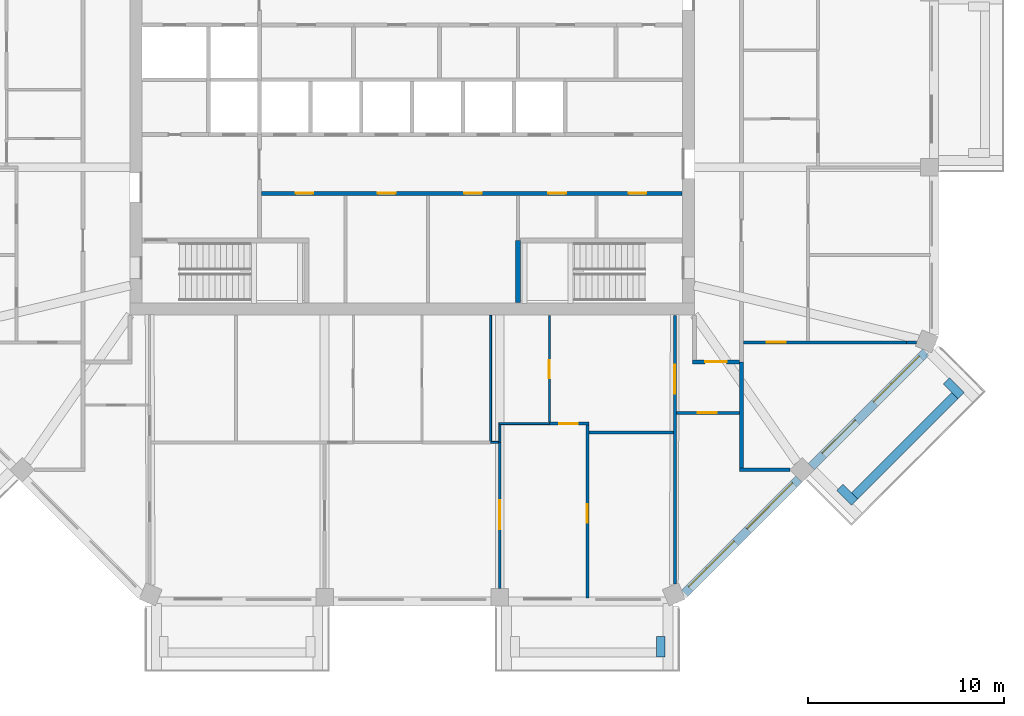
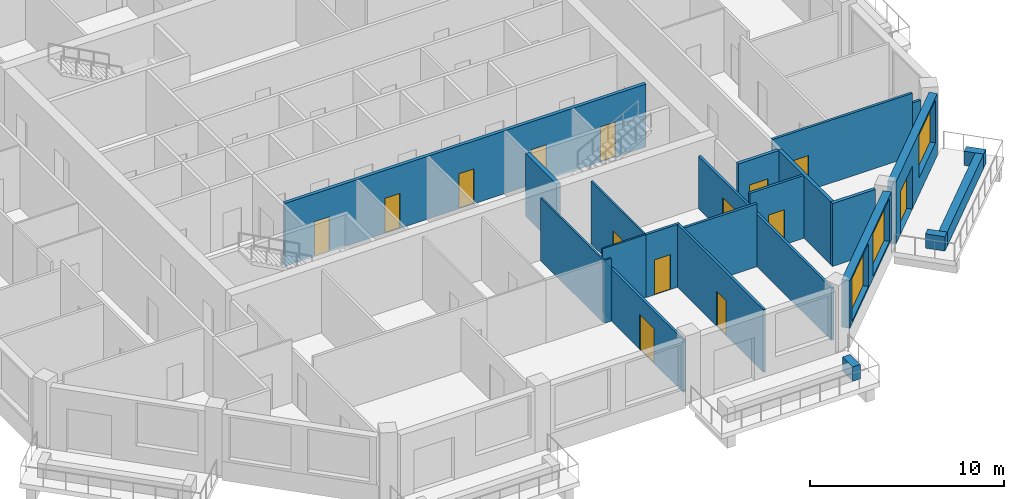
# One storey, part 5 of 12: 24 walls, 14 doors, 3 windows, 17 openings.
"""IFC4 building model written with IfcOpenShell, lengths in metres."""

from ifc_helpers import new_model, si_unit, direction, frame, frame_2d, origin, place, context, subcontext, project, spatial, rectangle, extrude, material, layer, layer_set, type_object, element, fill, save


model = new_model("IFC4")

# Units and contexts
model_context = context("Model", 3, precision=1e-05, world=origin(), true_north=direction((0.0, 1.0)))
body_context = subcontext(model_context, "Body", "Model", "MODEL_VIEW")
ifc_project = project(units=[si_unit("LENGTHUNIT", "METRE"), si_unit("AREAUNIT", "SQUARE_METRE"), si_unit("VOLUMEUNIT", "CUBIC_METRE"), si_unit("PLANEANGLEUNIT", "RADIAN"), si_unit("MASSUNIT", "GRAM", prefix="KILO")], contexts=[model_context])

# Site, building, storey
site_placement = place(None, origin())
site = spatial("IfcSite", under=ifc_project, at=site_placement, CompositionType="ELEMENT")
building_placement = place(site_placement, origin())
building = spatial("IfcBuilding", under=site, at=building_placement, Name="Msitu Wima Residences", CompositionType="ELEMENT")
storey_placement = place(building_placement, frame((0.0, 0.0, 222.300048828125)))
storey = spatial("IfcBuildingStorey", under=building, at=storey_placement, Name="L51", CompositionType="ELEMENT", Elevation=222.300048828125)

# Walls
ifc_material_1 = material(Name="Facing brick")
ifc_layer_1 = layer(ifc_material_1, 0.06494140625, Name="Facing brick")
ifc_material_2 = material(Name="Concrete C40/50", Category="concrete")
ifc_layer_2 = layer(ifc_material_2, 0.156005859375, Name="Concrete C40/50")
ifc_material_3 = material(Name="Waterproofing membrane")
ifc_layer_3 = layer(ifc_material_3, 0.00390625, Name="Waterproofing membrane")
ifc_material_4 = material(Name="Planting soil and planting")
ifc_layer_4 = layer(ifc_material_4, 0.22509765625, Name="Planting soil and planting")
ifc_layer_set_1 = layer_set([ifc_layer_1, ifc_layer_2, ifc_layer_3, ifc_layer_4], Name="Concrete C40/50")
wall_type_1 = type_object("IfcWallType", Name="Balcony planter PLANTER PL450", PredefinedType="USERDEFINED", material=ifc_layer_set_1)
wall_1_placement = place(storey_placement, frame((12.680908203125, -28.39990234375, 0.0), z_axis=(0.0, 0.0, 1.0), x_axis=(0.0, -1.0, 0.0)))
element("IfcWall", 1, at=wall_1_placement, inside=storey, type_object=wall_type_1, Name="Balcony planter S2 L51", ObjectType="PLANTER", PredefinedType="USERDEFINED", context=body_context, shape_type="SweptSolid", body=[
    extrude(rectangle(XDim=1.050048828125, YDim=0.449951171875, at=frame_2d((0.52490234375, 0.0))), origin(), (0.0, 0.0, 1.0), 0.89990234375),
])
wall_2_placement = place(storey_placement, frame((22.572265625, -21.228759765625, 0.0), z_axis=(0.0, 0.0, 1.0), x_axis=(0.707106781187, 0.707106781187, 0.0)))
element("IfcWall", 2, at=wall_2_placement, inside=storey, type_object=wall_type_1, Name="Balcony planter SE1 L51", ObjectType="PLANTER", PredefinedType="USERDEFINED", context=body_context, shape_type="SweptSolid", body=[
    extrude(rectangle(XDim=7.23828125, YDim=0.449951171875, at=frame_2d((3.619140625, 0.0))), origin(), (0.0, 0.0, 1.0), 0.89990234375),
])
for number, where, z_axis, x_axis, name in (
    (3, (21.829833984375, -20.804443359375, 0.0), (0.0, 0.0, 1.0), (0.707106781187, -0.707106781187, 0.0), "Balcony planter SE1 L51"),
    (4, (27.26611328125, -15.3681640625, 0.0), (0.0, 0.0, 1.0), (0.707223014731, -0.706990528533, 0.0), "Balcony planter SE1 L51"),
):
    element("IfcWall", number, at=place(storey_placement, frame(where, z_axis=z_axis, x_axis=x_axis)), inside=storey, type_object=wall_type_1, Name=name, ObjectType="PLANTER", PredefinedType="USERDEFINED", context=body_context, shape_type="SweptSolid", body=[
        extrude(rectangle(XDim=1.050048828125, YDim=0.449951171875, at=frame_2d((0.52490234375, 0.0))), origin(), (0.0, 0.0, 1.0), 0.89990234375),
    ])

# Wall, openings, windows
ifc_material_5 = material(Name="Brick (red buff mix)", Category="masonry")
ifc_layer_5 = layer(ifc_material_5, 0.449951171875)
ifc_layer_set_2 = layer_set([ifc_layer_5], Name="Brick (red buff mix)")
wall_type_2 = type_object("IfcWallType", Name="Brick infill wall BW450", PredefinedType="SOLIDWALL", material=ifc_layer_set_2)
wall_3_placement = place(storey_placement, frame((13.909423828125, -26.214599609375, 0.89990234375), z_axis=(0.0, 0.0, 1.0), x_axis=(0.707106781187, 0.707106781187, 0.0)))
wall_3 = element("IfcWall", 5, at=wall_3_placement, inside=storey, type_object=wall_type_2, Name="Brick infill wall L51 SE0", PredefinedType="SOLIDWALL", context=body_context, shape_type="SweptSolid", body=[
    extrude(rectangle(XDim=8.251220703125, YDim=0.449951171875, at=frame_2d((4.12548828125, 0.0))), origin(), (0.0, 0.0, 1.0), 3.0),
])
opening_1_placement = place(wall_3_placement, frame((0.37548828125, 0.0, 0.14990234375)))
opening_1 = element("IfcOpeningElement", 6, at=opening_1_placement, cuts=wall_3, Name="Opening W50-51.020", PredefinedType="OPENING", context=body_context, shape_type="SweptSolid", body=[
    extrude(rectangle(XDim=3.300048828125, YDim=2.699951171875, at=frame_2d((1.64990234375, 1.35009765625))), frame((0.0, 0.23486328125, 0.0), z_axis=(0.0, -1.0, 0.0), x_axis=(1.0, 0.0, 0.0)), (0.0, 0.0, 1.0), 0.469970703125),
])
opening_2_placement = place(wall_3_placement, frame((4.57568359375, 0.0, 0.14990234375)))
opening_2 = element("IfcOpeningElement", 7, at=opening_2_placement, cuts=wall_3, Name="Opening W50-51.021", PredefinedType="OPENING", context=body_context, shape_type="SweptSolid", body=[
    extrude(rectangle(XDim=3.300048828125, YDim=2.699951171875, at=frame_2d((1.64990234375, 1.35009765625))), frame((0.0, 0.23486328125, 0.0), z_axis=(0.0, -1.0, 0.0), x_axis=(1.0, 0.0, 0.0)), (0.0, 0.0, 1.0), 0.469970703125),
])
ifc_material_6 = material(Name="Anodised aluminium, bronze finish, clear low-emissivity double glazing", Category="aluminium")
window_type = type_object("IfcWindowType", Name="Window W3300x2700", PartitioningType="DOUBLE_PANEL_VERTICAL", PredefinedType="WINDOW", material=ifc_material_6)
window_1_placement = place(opening_1_placement, origin())
window_1 = element("IfcWindow", 8, at=window_1_placement, inside=storey, type_object=window_type, Name="Window L51 SE0.1", OverallHeight=2.699951171875, OverallWidth=3.300048828125, PartitioningType="SINGLE_PANEL", PredefinedType="WINDOW", context=body_context, shape_type="SweptSolid", body=[
    extrude(rectangle(XDim=3.300048828125, YDim=2.699951171875, at=frame_2d((1.64990234375, 1.35009765625))), frame((0.0, 0.135009765625, 0.0), z_axis=(0.0, -1.0, 0.0), x_axis=(1.0, 0.0, 0.0)), (0.0, 0.0, 1.0), 0.06005859375),
])
fill(opening_1, window_1)
window_2_placement = place(opening_2_placement, origin())
window_2 = element("IfcWindow", 9, at=window_2_placement, inside=storey, type_object=window_type, Name="Window L51 SE0.2", OverallHeight=2.699951171875, OverallWidth=3.300048828125, PartitioningType="SINGLE_PANEL", PredefinedType="WINDOW", context=body_context, shape_type="SweptSolid", body=[
    extrude(rectangle(XDim=3.300048828125, YDim=2.699951171875, at=frame_2d((1.64990234375, 1.35009765625))), frame((0.0, 0.135009765625, 0.0), z_axis=(0.0, -1.0, 0.0), x_axis=(1.0, 0.0, 0.0)), (0.0, 0.0, 1.0), 0.06005859375),
])
fill(opening_2, window_2)

# Wall, openings, door, window
wall_4_placement = place(storey_placement, frame((20.380126953125, -19.743896484375, 0.0), z_axis=(0.0, 0.0, 1.0), x_axis=(0.707106781187, 0.707106781187, 0.0)))
wall_4 = element("IfcWall", 10, at=wall_4_placement, inside=storey, type_object=wall_type_2, Name="Brick infill wall L51 SE1", PredefinedType="SOLIDWALL", context=body_context, shape_type="SweptSolid", body=[
    extrude(rectangle(XDim=8.251220703125, YDim=0.449951171875, at=frame_2d((4.12548828125, 0.0))), origin(), (0.0, 0.0, 1.0), 3.89990234375),
])
opening_3_placement = place(wall_4_placement, frame((0.86279296875, 0.0, 0.0)))
opening_3 = element("IfcOpeningElement", 11, at=opening_3_placement, cuts=wall_4, Name="Opening D50-51.008", PredefinedType="OPENING", context=body_context, shape_type="SweptSolid", body=[
    extrude(rectangle(XDim=2.39990234375, YDim=2.699951171875, at=frame_2d((1.199951171875, 1.35009765625))), frame((0.0, 0.23486328125, 0.0), z_axis=(0.0, -1.0, 0.0), x_axis=(1.0, 0.0, 0.0)), (0.0, 0.0, 1.0), 0.469970703125),
])
opening_4_placement = place(wall_4_placement, frame((4.57568359375, 0.0, 1.050048828125)))
opening_4 = element("IfcOpeningElement", 12, at=opening_4_placement, cuts=wall_4, Name="Opening W50-51.022", PredefinedType="OPENING", context=body_context, shape_type="SweptSolid", body=[
    extrude(rectangle(XDim=3.300048828125, YDim=2.699951171875, at=frame_2d((1.64990234375, 1.35009765625))), frame((0.0, 0.23486328125, 0.0), z_axis=(0.0, -1.0, 0.0), x_axis=(1.0, 0.0, 0.0)), (0.0, 0.0, 1.0), 0.469970703125),
])
door_type_1 = type_object("IfcDoorType", Name="Balcony door D2400x2700", OperationType="SLIDING_TO_LEFT", PredefinedType="DOOR", material=ifc_material_6)
door_1_placement = place(opening_3_placement, origin())
door_1 = element("IfcDoor", 13, at=door_1_placement, inside=storey, type_object=door_type_1, Name="Balcony door L51 SE1", OperationType="SINGLE_SWING_LEFT", OverallHeight=2.699951171875, OverallWidth=2.39990234375, PredefinedType="DOOR", context=body_context, shape_type="SweptSolid", body=[
    extrude(rectangle(XDim=2.39990234375, YDim=2.699951171875, at=frame_2d((1.199951171875, 1.35009765625))), frame((0.0, 0.1298828125, 0.0), z_axis=(0.0, -1.0, 0.0), x_axis=(1.0, 0.0, 0.0)), (0.0, 0.0, 1.0), 0.050048828125),
])
fill(opening_3, door_1)
window_3_placement = place(opening_4_placement, origin())
window_3 = element("IfcWindow", 14, at=window_3_placement, inside=storey, type_object=window_type, Name="Window L51 SE1.2", OverallHeight=2.699951171875, OverallWidth=3.300048828125, PartitioningType="SINGLE_PANEL", PredefinedType="WINDOW", context=body_context, shape_type="SweptSolid", body=[
    extrude(rectangle(XDim=3.300048828125, YDim=2.699951171875, at=frame_2d((1.64990234375, 1.35009765625))), frame((0.0, 0.135009765625, 0.0), z_axis=(0.0, -1.0, 0.0), x_axis=(1.0, 0.0, 0.0)), (0.0, 0.0, 1.0), 0.06005859375),
])
fill(opening_4, window_3)

# Wall, openings, doors
ifc_material_7 = material(Name="Plaster")
ifc_layer_6 = layer(ifc_material_7, 0.011962890625, Name="Plaster")
ifc_material_8 = material(Name="Concrete blockwork", Category="masonry")
ifc_layer_7 = layer(ifc_material_8, 0.176025390625, Name="Concrete blockwork")
ifc_layer_8 = layer(ifc_material_7, 0.011962890625, Name="Plaster")
ifc_layer_set_3 = layer_set([ifc_layer_6, ifc_layer_7, ifc_layer_8], Name="Concrete blockwork")
wall_type_3 = type_object("IfcWallType", Name="Corridor wall FW200", PredefinedType="PARTITIONING", material=ifc_layer_set_3)
wall_5_placement = place(storey_placement, frame((-7.699951171875, -5.800048828125, 0.0), z_axis=(0.0, 0.0, 1.0), x_axis=(1.0, 0.0, 0.0)))
wall_5 = element("IfcWall", 15, at=wall_5_placement, inside=storey, type_object=wall_type_3, Name="Corridor wall", PredefinedType="PARTITIONING", context=body_context, shape_type="SweptSolid", body=[
    extrude(rectangle(XDim=21.469970703125, YDim=0.199951171875, at=frame_2d((10.73486328125, 0.0))), origin(), (0.0, 0.0, 1.0), 3.949951171875),
])
opening_5_placement = place(wall_5_placement, frame((1.75, 0.0, 0.0)))
opening_5 = element("IfcOpeningElement", 16, at=opening_5_placement, cuts=wall_5, Name="Opening D50-51.067", PredefinedType="OPENING", context=body_context, shape_type="SweptSolid", body=[
    extrude(rectangle(XDim=0.89990234375, YDim=2.199951171875, at=frame_2d((0.449951171875, 1.10009765625))), frame((0.0, 0.10986328125, 0.0), z_axis=(0.0, -1.0, 0.0), x_axis=(1.0, 0.0, 0.0)), (0.0, 0.0, 1.0), 0.219970703125),
])
opening_6_placement = place(wall_5_placement, frame((5.949951171875, 0.0, 0.0)))
opening_6 = element("IfcOpeningElement", 17, at=opening_6_placement, cuts=wall_5, Name="Opening D50-51.068", PredefinedType="OPENING", context=body_context, shape_type="SweptSolid", body=[
    extrude(rectangle(XDim=0.89990234375, YDim=2.199951171875, at=frame_2d((0.449951171875, 1.10009765625))), frame((0.0, 0.10986328125, 0.0), z_axis=(0.0, -1.0, 0.0), x_axis=(1.0, 0.0, 0.0)), (0.0, 0.0, 1.0), 0.219970703125),
])
opening_7_placement = place(wall_5_placement, frame((10.35009765625, 0.0, 0.0)))
opening_7 = element("IfcOpeningElement", 18, at=opening_7_placement, cuts=wall_5, Name="Opening D50-51.069", PredefinedType="OPENING", context=body_context, shape_type="SweptSolid", body=[
    extrude(rectangle(XDim=0.89990234375, YDim=2.199951171875, at=frame_2d((0.449951171875, 1.10009765625))), frame((0.0, 0.10986328125, 0.0), z_axis=(0.0, -1.0, 0.0), x_axis=(1.0, 0.0, 0.0)), (0.0, 0.0, 1.0), 0.219970703125),
])
opening_8_placement = place(wall_5_placement, frame((14.64990234375, 0.0, 0.0)))
opening_8 = element("IfcOpeningElement", 19, at=opening_8_placement, cuts=wall_5, Name="Opening D50-51.070", PredefinedType="OPENING", context=body_context, shape_type="SweptSolid", body=[
    extrude(rectangle(XDim=0.89990234375, YDim=2.199951171875, at=frame_2d((0.449951171875, 1.10009765625))), frame((0.0, 0.10986328125, 0.0), z_axis=(0.0, -1.0, 0.0), x_axis=(1.0, 0.0, 0.0)), (0.0, 0.0, 1.0), 0.219970703125),
])
opening_9_placement = place(wall_5_placement, frame((18.75, 0.0, 0.0)))
opening_9 = element("IfcOpeningElement", 20, at=opening_9_placement, cuts=wall_5, Name="Opening D50-51.071", PredefinedType="OPENING", context=body_context, shape_type="SweptSolid", body=[
    extrude(rectangle(XDim=0.89990234375, YDim=2.199951171875, at=frame_2d((0.449951171875, 1.10009765625))), frame((0.0, 0.10986328125, 0.0), z_axis=(0.0, -1.0, 0.0), x_axis=(1.0, 0.0, 0.0)), (0.0, 0.0, 1.0), 0.219970703125),
])
ifc_material_9 = material(Name="Timber flush door", Category="wood")
door_type_2 = type_object("IfcDoorType", Name="Service door D05 900x2200", OperationType="SINGLE_SWING_LEFT", PredefinedType="DOOR", material=ifc_material_9)
door_2_placement = place(opening_5_placement, origin())
door_2 = element("IfcDoor", 21, at=door_2_placement, inside=storey, type_object=door_type_2, Name="Service door", OperationType="SINGLE_SWING_LEFT", OverallHeight=2.199951171875, OverallWidth=0.89990234375, PredefinedType="DOOR", context=body_context, shape_type="SweptSolid", body=[
    extrude(rectangle(XDim=0.89990234375, YDim=2.199951171875, at=frame_2d((0.449951171875, 1.10009765625))), frame((0.0, 0.02490234375, 0.0), z_axis=(0.0, -1.0, 0.0), x_axis=(1.0, 0.0, 0.0)), (0.0, 0.0, 1.0), 0.050048828125),
])
fill(opening_5, door_2)
door_3_placement = place(opening_6_placement, origin())
door_3 = element("IfcDoor", 22, at=door_3_placement, inside=storey, type_object=door_type_2, Name="Service door", OperationType="SINGLE_SWING_RIGHT", OverallHeight=2.199951171875, OverallWidth=0.89990234375, PredefinedType="DOOR", context=body_context, shape_type="SweptSolid", body=[
    extrude(rectangle(XDim=0.89990234375, YDim=2.199951171875, at=frame_2d((0.449951171875, 1.10009765625))), frame((0.0, 0.02490234375, 0.0), z_axis=(0.0, -1.0, 0.0), x_axis=(1.0, 0.0, 0.0)), (0.0, 0.0, 1.0), 0.050048828125),
])
fill(opening_6, door_3)
door_4_placement = place(opening_7_placement, origin())
door_4 = element("IfcDoor", 23, at=door_4_placement, inside=storey, type_object=door_type_2, Name="Service door", OperationType="SINGLE_SWING_LEFT", OverallHeight=2.199951171875, OverallWidth=0.89990234375, PredefinedType="DOOR", context=body_context, shape_type="SweptSolid", body=[
    extrude(rectangle(XDim=0.89990234375, YDim=2.199951171875, at=frame_2d((0.449951171875, 1.10009765625))), frame((0.0, 0.02490234375, 0.0), z_axis=(0.0, -1.0, 0.0), x_axis=(1.0, 0.0, 0.0)), (0.0, 0.0, 1.0), 0.050048828125),
])
fill(opening_7, door_4)
door_5_placement = place(opening_8_placement, origin())
door_5 = element("IfcDoor", 24, at=door_5_placement, inside=storey, type_object=door_type_2, Name="Service door", OperationType="SINGLE_SWING_LEFT", OverallHeight=2.199951171875, OverallWidth=0.89990234375, PredefinedType="DOOR", context=body_context, shape_type="SweptSolid", body=[
    extrude(rectangle(XDim=0.89990234375, YDim=2.199951171875, at=frame_2d((0.449951171875, 1.10009765625))), frame((0.0, 0.02490234375, 0.0), z_axis=(0.0, -1.0, 0.0), x_axis=(1.0, 0.0, 0.0)), (0.0, 0.0, 1.0), 0.050048828125),
])
fill(opening_8, door_5)
door_6_placement = place(opening_9_placement, origin())
door_6 = element("IfcDoor", 25, at=door_6_placement, inside=storey, type_object=door_type_2, Name="Service door", OperationType="SINGLE_SWING_RIGHT", OverallHeight=2.199951171875, OverallWidth=0.89990234375, PredefinedType="DOOR", context=body_context, shape_type="SweptSolid", body=[
    extrude(rectangle(XDim=0.89990234375, YDim=2.199951171875, at=frame_2d((0.449951171875, 1.10009765625))), frame((0.0, 0.02490234375, 0.0), z_axis=(0.0, -1.0, 0.0), x_axis=(1.0, 0.0, 0.0)), (0.0, 0.0, 1.0), 0.050048828125),
])
fill(opening_9, door_6)

# Wall, opening, door
wall_6_placement = place(storey_placement, frame((14.300048828125, -14.39990234375, 0.0), z_axis=(0.0, 0.0, 1.0), x_axis=(1.0, 0.0, 0.0)))
wall_6 = element("IfcWall", 26, at=wall_6_placement, inside=storey, type_object=wall_type_3, Name="Corridor wall", PredefinedType="PARTITIONING", context=body_context, shape_type="SweptSolid", body=[
    extrude(rectangle(XDim=2.39990234375, YDim=0.199951171875, at=frame_2d((1.199951171875, 0.0))), origin(), (0.0, 0.0, 1.0), 3.949951171875),
])
opening_10_placement = place(wall_6_placement, frame((0.64990234375, 0.0, 0.0)))
opening_10 = element("IfcOpeningElement", 27, at=opening_10_placement, cuts=wall_6, Name="Opening D50-51.046", PredefinedType="OPENING", context=body_context, shape_type="SweptSolid", body=[
    extrude(rectangle(XDim=1.10009765625, YDim=2.39990234375, at=frame_2d((0.550048828125, 1.199951171875))), frame((0.0, 0.10986328125, 0.0), z_axis=(0.0, -1.0, 0.0), x_axis=(1.0, 0.0, 0.0)), (0.0, 0.0, 1.0), 0.219970703125),
])
ifc_material_10 = material(Name="Timber flush door, fire resisting, self-closing", Category="wood")
door_type_3 = type_object("IfcDoorType", Name="Flat entrance door D01 1100x2400", OperationType="SINGLE_SWING_LEFT", PredefinedType="DOOR", material=ifc_material_10)
door_7_placement = place(opening_10_placement, origin())
door_7 = element("IfcDoor", 28, at=door_7_placement, inside=storey, type_object=door_type_3, Name="Flat entrance door", OperationType="SINGLE_SWING_LEFT", OverallHeight=2.39990234375, OverallWidth=1.10009765625, PredefinedType="DOOR", context=body_context, shape_type="SweptSolid", body=[
    extrude(rectangle(XDim=1.10009765625, YDim=2.39990234375, at=frame_2d((0.550048828125, 1.199951171875))), frame((0.0, 0.02490234375, 0.0), z_axis=(0.0, -1.0, 0.0), x_axis=(1.0, 0.0, 0.0)), (0.0, 0.0, 1.0), 0.050048828125),
])
fill(opening_10, door_7)

ifc_layer_9 = layer(ifc_material_7, 0.011962890625, Name="Plaster")
ifc_layer_10 = layer(ifc_material_8, 0.1259765625, Name="Concrete blockwork")
ifc_layer_11 = layer(ifc_material_7, 0.011962890625, Name="Plaster")
ifc_layer_set_4 = layer_set([ifc_layer_9, ifc_layer_10, ifc_layer_11], Name="Concrete blockwork")
wall_type_4 = type_object("IfcWallType", Name="Partition PW150", PredefinedType="PARTITIONING", material=ifc_layer_set_4)
wall_7_placement = place(storey_placement, frame((4.46875, -25.949951171875, 0.0), z_axis=(0.0, 0.0, 1.0), x_axis=(0.0, 1.0, 0.0)))
wall_7 = element("IfcWall", 29, at=wall_7_placement, inside=storey, type_object=wall_type_4, Name="Partition", PredefinedType="PARTITIONING", context=body_context, shape_type="SweptSolid", body=[
    extrude(rectangle(XDim=7.449951171875, YDim=0.14990234375, at=frame_2d((3.72509765625, 0.0))), origin(), (0.0, 0.0, 1.0), 3.300048828125),
])
opening_11_placement = place(wall_7_placement, frame((3.0, 0.0, 0.0)))
opening_11 = element("IfcOpeningElement", 30, at=opening_11_placement, cuts=wall_7, Name="Opening D50-51.056", PredefinedType="OPENING", context=body_context, shape_type="SweptSolid", body=[
    extrude(rectangle(XDim=1.5, YDim=2.199951171875, at=frame_2d((0.75, 1.10009765625))), frame((0.0, 0.0849609375, 0.0), z_axis=(0.0, -1.0, 0.0), x_axis=(1.0, 0.0, 0.0)), (0.0, 0.0, 1.0), 0.169921875),
])
ifc_material_11 = material(Name="Timber double door", Category="wood")
door_type_4 = type_object("IfcDoorType", Name="Double door D04 1500x2200", OperationType="DOUBLE_DOOR_SINGLE_SWING", PredefinedType="DOOR", material=ifc_material_11)
door_8_placement = place(opening_11_placement, origin())
door_8 = element("IfcDoor", 31, at=door_8_placement, inside=storey, type_object=door_type_4, Name="Double door", OperationType="DOUBLE_DOOR_SINGLE_SWING", OverallHeight=2.199951171875, OverallWidth=1.5, PredefinedType="DOOR", context=body_context, shape_type="SweptSolid", body=[
    extrude(rectangle(XDim=1.5, YDim=2.199951171875, at=frame_2d((0.75, 1.10009765625))), frame((0.0, 0.02490234375, 0.0), z_axis=(0.0, -1.0, 0.0), x_axis=(1.0, 0.0, 0.0)), (0.0, 0.0, 1.0), 0.050048828125),
])
fill(opening_11, door_8)

wall_8_placement = place(storey_placement, frame((7.0, -17.550048828125, 0.0), z_axis=(0.0, 0.0, 1.0), x_axis=(1.0, 0.0, 0.0)))
wall_8 = element("IfcWall", 32, at=wall_8_placement, inside=storey, type_object=wall_type_4, Name="Partition", PredefinedType="PARTITIONING", context=body_context, shape_type="SweptSolid", body=[
    extrude(rectangle(XDim=2.01220703125, YDim=0.14990234375, at=frame_2d((1.006103515625, 0.0))), origin(), (0.0, 0.0, 1.0), 3.949951171875),
])
opening_12_placement = place(wall_8_placement, frame((0.5, 0.0, 0.0)))
opening_12 = element("IfcOpeningElement", 33, at=opening_12_placement, cuts=wall_8, Name="Opening D50-51.052", PredefinedType="OPENING", context=body_context, shape_type="SweptSolid", body=[
    extrude(rectangle(XDim=0.949951171875, YDim=2.199951171875, at=frame_2d((0.47509765625, 1.10009765625))), frame((0.0, 0.0849609375, 0.0), z_axis=(0.0, -1.0, 0.0), x_axis=(1.0, 0.0, 0.0)), (0.0, 0.0, 1.0), 0.169921875),
])
door_type_5 = type_object("IfcDoorType", Name="Room door D12 950x2200", OperationType="SINGLE_SWING_LEFT", PredefinedType="DOOR", material=ifc_material_9)
door_9_placement = place(opening_12_placement, origin())
door_9 = element("IfcDoor", 34, at=door_9_placement, inside=storey, type_object=door_type_5, Name="Room door", OperationType="SINGLE_SWING_LEFT", OverallHeight=2.199951171875, OverallWidth=0.949951171875, PredefinedType="DOOR", context=body_context, shape_type="SweptSolid", body=[
    extrude(rectangle(XDim=0.949951171875, YDim=2.199951171875, at=frame_2d((0.47509765625, 1.10009765625))), frame((0.0, 0.02490234375, 0.0), z_axis=(0.0, -1.0, 0.0), x_axis=(1.0, 0.0, 0.0)), (0.0, 0.0, 1.0), 0.050048828125),
])
fill(opening_12, door_9)

wall_9_placement = place(storey_placement, frame((8.937255859375, -26.455078125, 0.0), z_axis=(0.0, 0.0, 1.0), x_axis=(0.0, 1.0, 0.0)))
wall_9 = element("IfcWall", 35, at=wall_9_placement, inside=storey, type_object=wall_type_4, Name="Partition", PredefinedType="PARTITIONING", context=body_context, shape_type="SweptSolid", body=[
    extrude(rectangle(XDim=8.830078125, YDim=0.14990234375, at=frame_2d((4.4150390625, 0.0))), origin(), (0.0, 0.0, 1.0), 3.949951171875),
])
opening_13_placement = place(wall_9_placement, frame((3.85009765625, 0.0, 0.0)))
opening_13 = element("IfcOpeningElement", 36, at=opening_13_placement, cuts=wall_9, Name="Opening D50-51.053", PredefinedType="OPENING", context=body_context, shape_type="SweptSolid", body=[
    extrude(rectangle(XDim=0.949951171875, YDim=2.199951171875, at=frame_2d((0.47509765625, 1.10009765625))), frame((0.0, 0.0849609375, 0.0), z_axis=(0.0, -1.0, 0.0), x_axis=(1.0, 0.0, 0.0)), (0.0, 0.0, 1.0), 0.169921875),
])
door_10_placement = place(opening_13_placement, origin())
door_10 = element("IfcDoor", 37, at=door_10_placement, inside=storey, type_object=door_type_5, Name="Room door", OperationType="SINGLE_SWING_LEFT", OverallHeight=2.199951171875, OverallWidth=0.949951171875, PredefinedType="DOOR", context=body_context, shape_type="SweptSolid", body=[
    extrude(rectangle(XDim=0.949951171875, YDim=2.199951171875, at=frame_2d((0.47509765625, 1.10009765625))), frame((0.0, 0.02490234375, 0.0), z_axis=(0.0, -1.0, 0.0), x_axis=(1.0, 0.0, 0.0)), (0.0, 0.0, 1.0), 0.050048828125),
])
fill(opening_13, door_10)

# Wall
wall_10_placement = place(storey_placement, frame((9.01220703125, -18.0, 0.0), z_axis=(0.0, 0.0, 1.0), x_axis=(1.0, 0.0, 0.0)))
element("IfcWall", 38, at=wall_10_placement, inside=storey, type_object=wall_type_4, Name="Partition", PredefinedType="PARTITIONING", context=body_context, shape_type="SweptSolid", body=[
    extrude(rectangle(XDim=4.318603515625, YDim=0.14990234375, at=frame_2d((2.1591796875, 0.0))), origin(), (0.0, 0.0, 1.0), 3.949951171875),
])

# Wall, opening, door
wall_11_placement = place(storey_placement, frame((13.406005859375, -25.731201171875, 0.0), z_axis=(0.0, 0.0, 1.0), x_axis=(0.0, 1.0, 0.0)))
wall_11 = element("IfcWall", 39, at=wall_11_placement, inside=storey, type_object=wall_type_4, Name="Partition", PredefinedType="PARTITIONING", context=body_context, shape_type="SweptSolid", body=[
    extrude(rectangle(XDim=13.701171875, YDim=0.14990234375, at=frame_2d((6.8505859375, 0.0))), origin(), (0.0, 0.0, 1.0), 3.300048828125),
])
opening_14_placement = place(wall_11_placement, frame((9.699951171875, 0.0, 0.0)))
opening_14 = element("IfcOpeningElement", 40, at=opening_14_placement, cuts=wall_11, Name="Opening D50-51.047", PredefinedType="OPENING", context=body_context, shape_type="SweptSolid", body=[
    extrude(rectangle(XDim=1.5, YDim=2.199951171875, at=frame_2d((0.75, 1.10009765625))), frame((0.0, 0.0849609375, 0.0), z_axis=(0.0, -1.0, 0.0), x_axis=(1.0, 0.0, 0.0)), (0.0, 0.0, 1.0), 0.169921875),
])
door_11_placement = place(opening_14_placement, origin())
door_11 = element("IfcDoor", 41, at=door_11_placement, inside=storey, type_object=door_type_4, Name="Double door", OperationType="DOUBLE_DOOR_SINGLE_SWING", OverallHeight=2.199951171875, OverallWidth=1.5, PredefinedType="DOOR", context=body_context, shape_type="SweptSolid", body=[
    extrude(rectangle(XDim=1.5, YDim=2.199951171875, at=frame_2d((0.75, 1.10009765625))), frame((0.0, 0.02490234375, 0.0), z_axis=(0.0, -1.0, 0.0), x_axis=(1.0, 0.0, 0.0)), (0.0, 0.0, 1.0), 0.050048828125),
])
fill(opening_14, door_11)

wall_12_placement = place(storey_placement, frame((13.48095703125, -17.0, 0.0), z_axis=(0.0, 0.0, 1.0), x_axis=(1.0, 0.0, 0.0)))
wall_12 = element("IfcWall", 42, at=wall_12_placement, inside=storey, type_object=wall_type_4, Name="Partition", PredefinedType="PARTITIONING", context=body_context, shape_type="SweptSolid", body=[
    extrude(rectangle(XDim=3.218994140625, YDim=0.14990234375, at=frame_2d((1.609375, 0.0))), origin(), (0.0, 0.0, 1.0), 3.949951171875),
])
opening_15_placement = place(wall_12_placement, frame((1.10009765625, 0.0, 0.0)))
opening_15 = element("IfcOpeningElement", 43, at=opening_15_placement, cuts=wall_12, Name="Opening D50-51.054", PredefinedType="OPENING", context=body_context, shape_type="SweptSolid", body=[
    extrude(rectangle(XDim=0.949951171875, YDim=2.199951171875, at=frame_2d((0.47509765625, 1.10009765625))), frame((0.0, 0.0849609375, 0.0), z_axis=(0.0, -1.0, 0.0), x_axis=(1.0, 0.0, 0.0)), (0.0, 0.0, 1.0), 0.169921875),
])
door_12_placement = place(opening_15_placement, origin())
door_12 = element("IfcDoor", 44, at=door_12_placement, inside=storey, type_object=door_type_5, Name="Room door", OperationType="SINGLE_SWING_RIGHT", OverallHeight=2.199951171875, OverallWidth=0.949951171875, PredefinedType="DOOR", context=body_context, shape_type="SweptSolid", body=[
    extrude(rectangle(XDim=0.949951171875, YDim=2.199951171875, at=frame_2d((0.47509765625, 1.10009765625))), frame((0.0, 0.02490234375, 0.0), z_axis=(0.0, -1.0, 0.0), x_axis=(1.0, 0.0, 0.0)), (0.0, 0.0, 1.0), 0.050048828125),
])
fill(opening_15, door_12)

wall_13_placement = place(storey_placement, frame((16.89990234375, -13.406005859375, 0.0), z_axis=(0.0, 0.0, 1.0), x_axis=(1.0, 0.0, 0.0)))
wall_13 = element("IfcWall", 45, at=wall_13_placement, inside=storey, type_object=wall_type_4, Name="Partition", PredefinedType="PARTITIONING", context=body_context, shape_type="SweptSolid", body=[
    extrude(rectangle(XDim=8.32421875, YDim=0.14990234375, at=frame_2d((4.162109375, 0.0))), origin(), (0.0, 0.0, 1.0), 3.949951171875),
])
opening_16_placement = place(wall_13_placement, frame((1.199951171875, 0.0, 0.0)))
opening_16 = element("IfcOpeningElement", 46, at=opening_16_placement, cuts=wall_13, Name="Opening D50-51.012", PredefinedType="OPENING", context=body_context, shape_type="SweptSolid", body=[
    extrude(rectangle(XDim=0.949951171875, YDim=2.199951171875, at=frame_2d((0.47509765625, 1.10009765625))), frame((0.0, 0.0849609375, 0.0), z_axis=(0.0, -1.0, 0.0), x_axis=(1.0, 0.0, 0.0)), (0.0, 0.0, 1.0), 0.169921875),
])
door_13_placement = place(opening_16_placement, origin())
door_13 = element("IfcDoor", 47, at=door_13_placement, inside=storey, type_object=door_type_5, Name="Room door", OperationType="SINGLE_SWING_RIGHT", OverallHeight=2.199951171875, OverallWidth=0.949951171875, PredefinedType="DOOR", context=body_context, shape_type="SweptSolid", body=[
    extrude(rectangle(XDim=0.949951171875, YDim=2.199951171875, at=frame_2d((0.47509765625, 1.10009765625))), frame((0.0, 0.02490234375, 0.0), z_axis=(0.0, -1.0, 0.0), x_axis=(1.0, 0.0, 0.0)), (0.0, 0.0, 1.0), 0.050048828125),
])
fill(opening_16, door_13)

# Walls
wall_14_placement = place(storey_placement, frame((25.22412109375, -13.406005859375, 0.0), z_axis=(0.0, 0.0, 1.0), x_axis=(1.0, 0.0, 0.0)))
element("IfcWall", 48, at=wall_14_placement, inside=storey, type_object=wall_type_4, Name="Partition", PredefinedType="PARTITIONING", context=body_context, shape_type="SweptSolid", body=[
    extrude(rectangle(XDim=0.507080078125, YDim=0.14990234375, at=frame_2d((0.25341796875, 0.0))), origin(), (0.0, 0.0, 1.0), 3.349853515625),
])
ifc_layer_12 = layer(ifc_material_7, 0.011962890625, Name="Plaster")
ifc_material_12 = material(Name="Dense concrete blockwork", Category="masonry")
ifc_layer_13 = layer(ifc_material_12, 0.176025390625, Name="Dense concrete blockwork")
ifc_layer_14 = layer(ifc_material_7, 0.011962890625, Name="Plaster")
ifc_layer_set_5 = layer_set([ifc_layer_12, ifc_layer_13, ifc_layer_14], Name="Dense concrete blockwork")
wall_type_5 = type_object("IfcWallType", Name="Party wall PW200", PredefinedType="PARTITIONING", material=ifc_layer_set_5)
wall_15_placement = place(storey_placement, frame((16.800048828125, -19.802978515625, 0.0), z_axis=(0.0, 0.0, 1.0), x_axis=(0.0, 1.0, 0.0)))
element("IfcWall", 49, at=wall_15_placement, inside=storey, type_object=wall_type_5, Name="Party wall", PredefinedType="PARTITIONING", context=body_context, shape_type="SweptSolid", body=[
    extrude(rectangle(XDim=5.403076171875, YDim=0.199951171875, at=frame_2d((2.70166015625, 0.0))), origin(), (0.0, 0.0, 1.0), 3.949951171875),
])
wall_16_placement = place(storey_placement, frame((16.699951171875, -19.90283203125, 0.0), z_axis=(0.0, 0.0, 1.0), x_axis=(1.0, 0.0, 0.0)))
element("IfcWall", 50, at=wall_16_placement, inside=storey, type_object=wall_type_5, Name="Party wall", PredefinedType="PARTITIONING", context=body_context, shape_type="SweptSolid", body=[
    extrude(rectangle(XDim=2.566650390625, YDim=0.199951171875, at=frame_2d((1.283203125, 0.0))), origin(), (0.0, 0.0, 1.0), 3.949951171875),
])
ifc_material_13 = material(Name="Concrete C50/60", Category="concrete")
ifc_layer_15 = layer(ifc_material_13, 0.25)
ifc_layer_set_6 = layer_set([ifc_layer_15], Name="Concrete C50/60")
wall_type_6 = type_object("IfcWallType", Name="Stair enclosure wall SW250", PredefinedType="SHEAR", material=ifc_layer_set_6)
wall_17_placement = place(storey_placement, frame((5.39990234375, -11.3701171875, 0.0), z_axis=(0.0, 0.0, 1.0), x_axis=(0.0, 1.0, 0.0)))
element("IfcWall", 51, at=wall_17_placement, inside=storey, type_object=wall_type_6, Name="Stair enclosure wall", PredefinedType="SHEAR", context=body_context, shape_type="SweptSolid", body=[
    extrude(rectangle(XDim=3.170166015625, YDim=0.25, at=frame_2d((1.5849609375, 0.0))), origin(), (0.0, 0.0, 1.0), 3.949951171875),
])
ifc_material_14 = material(Name="Ceramic tiles")
ifc_layer_16 = layer(ifc_material_14, 0.008056640625, Name="Ceramic tiles")
ifc_material_15 = material(Name="Moisture-resistant board")
ifc_layer_17 = layer(ifc_material_15, 0.012451171875, Name="Moisture-resistant board")
ifc_material_16 = material(Name="Light-gauge stud framing with mineral wool")
ifc_layer_18 = layer(ifc_material_16, 0.06689453125, Name="Light-gauge stud framing with mineral wool")
ifc_layer_19 = layer(ifc_material_15, 0.012451171875, Name="Moisture-resistant board")
ifc_layer_set_7 = layer_set([ifc_layer_16, ifc_layer_17, ifc_layer_18, ifc_layer_19], Name="Light-gauge stud framing with mineral wool")
wall_type_7 = type_object("IfcWallType", Name="Wet wall PW100", PredefinedType="PARTITIONING", material=ifc_layer_set_7)
wall_18_placement = place(storey_placement, frame((4.0, -18.5, 0.0), z_axis=(0.0, 0.0, 1.0), x_axis=(1.0, 0.0, 0.0)))
element("IfcWall", 52, at=wall_18_placement, inside=storey, type_object=wall_type_7, Name="Wet wall", PredefinedType="PARTITIONING", context=body_context, shape_type="SweptSolid", body=[
    extrude(rectangle(XDim=0.3935546875, YDim=0.10009765625, at=frame_2d((0.19677734375, 0.0))), origin(), (0.0, 0.0, 1.0), 3.949951171875),
])
wall_19_placement = place(storey_placement, frame((4.0, -18.449951171875, 0.0), z_axis=(0.0, 0.0, 1.0), x_axis=(0.0, 1.0, 0.0)))
element("IfcWall", 53, at=wall_19_placement, inside=storey, type_object=wall_type_7, Name="Wet wall", PredefinedType="PARTITIONING", context=body_context, shape_type="SweptSolid", body=[
    extrude(rectangle(XDim=6.419921875, YDim=0.10009765625, at=frame_2d((3.2099609375, 0.0))), origin(), (0.0, 0.0, 1.0), 3.949951171875),
])
wall_20_placement = place(storey_placement, frame((4.46875, -18.5, 0.0), z_axis=(0.0, 0.0, 1.0), x_axis=(0.0, 1.0, 0.0)))
element("IfcWall", 54, at=wall_20_placement, inside=storey, type_object=wall_type_7, Name="Wet wall", PredefinedType="PARTITIONING", context=body_context, shape_type="SweptSolid", body=[
    extrude(rectangle(XDim=0.89990234375, YDim=0.10009765625, at=frame_2d((0.449951171875, 0.0))), origin(), (0.0, 0.0, 1.0), 3.300048828125),
])
wall_21_placement = place(storey_placement, frame((4.418701171875, -17.550048828125, 0.0), z_axis=(0.0, 0.0, 1.0), x_axis=(1.0, 0.0, 0.0)))
element("IfcWall", 55, at=wall_21_placement, inside=storey, type_object=wall_type_7, Name="Wet wall", PredefinedType="PARTITIONING", context=body_context, shape_type="SweptSolid", body=[
    extrude(rectangle(XDim=2.581298828125, YDim=0.10009765625, at=frame_2d((1.29052734375, 0.0))), origin(), (0.0, 0.0, 1.0), 3.949951171875),
])

# Wall, opening, door
wall_22_placement = place(storey_placement, frame((7.0, -17.47509765625, 0.0), z_axis=(0.0, 0.0, 1.0), x_axis=(0.0, 1.0, 0.0)))
wall_22 = element("IfcWall", 56, at=wall_22_placement, inside=storey, type_object=wall_type_7, Name="Wet wall", PredefinedType="PARTITIONING", context=body_context, shape_type="SweptSolid", body=[
    extrude(rectangle(XDim=5.445068359375, YDim=0.10009765625, at=frame_2d((2.72265625, 0.0))), origin(), (0.0, 0.0, 1.0), 3.949951171875),
])
opening_17_placement = place(wall_22_placement, frame((2.25, 0.0, 0.0)))
opening_17 = element("IfcOpeningElement", 57, at=opening_17_placement, cuts=wall_22, Name="Opening D50-51.055", PredefinedType="OPENING", context=body_context, shape_type="SweptSolid", body=[
    extrude(rectangle(XDim=0.89990234375, YDim=2.199951171875, at=frame_2d((0.449951171875, 1.10009765625))), frame((0.0, 0.06005859375, 0.0), z_axis=(0.0, -1.0, 0.0), x_axis=(1.0, 0.0, 0.0)), (0.0, 0.0, 1.0), 0.1201171875),
])
ifc_material_17 = material(Name="Timber flush door, moisture resistant", Category="wood")
door_type_6 = type_object("IfcDoorType", Name="Bathroom door D03 900x2200", OperationType="SINGLE_SWING_LEFT", PredefinedType="DOOR", material=ifc_material_17)
door_14_placement = place(opening_17_placement, origin())
door_14 = element("IfcDoor", 58, at=door_14_placement, inside=storey, type_object=door_type_6, Name="Bathroom door", OperationType="SINGLE_SWING_LEFT", OverallHeight=2.199951171875, OverallWidth=0.89990234375, PredefinedType="DOOR", context=body_context, shape_type="SweptSolid", body=[
    extrude(rectangle(XDim=0.89990234375, YDim=2.199951171875, at=frame_2d((0.449951171875, 1.10009765625))), frame((0.0, 0.02490234375, 0.0), z_axis=(0.0, -1.0, 0.0), x_axis=(1.0, 0.0, 0.0)), (0.0, 0.0, 1.0), 0.050048828125),
])
fill(opening_17, door_14)

save(model, "model.ifc")
